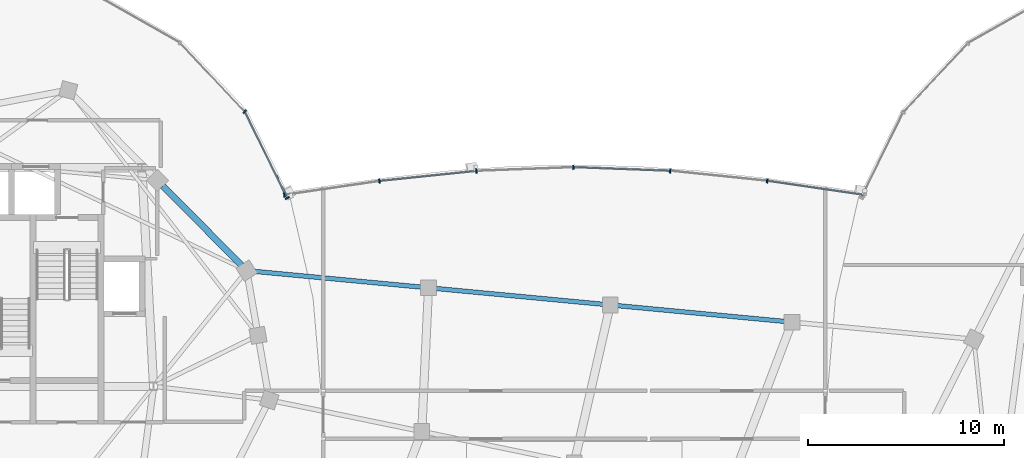
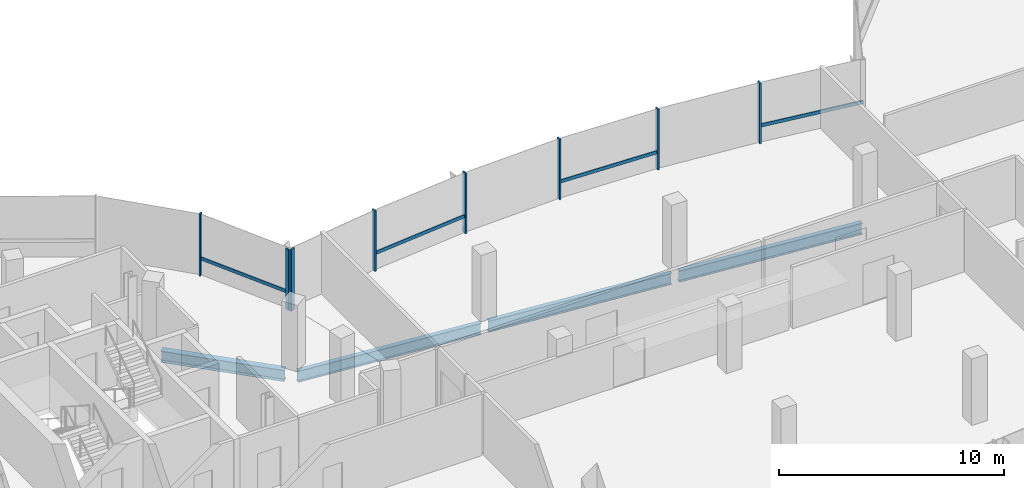
# One storey, part 7 of 25: 12 members, 4 beams, 2 elements without a shape of their own.
"""IFC4 building model written with IfcOpenShell, lengths in metres."""

from ifc_helpers import new_model, si_unit, direction, frame, origin, origin_2d, place, context, subcontext, project, spatial, rectangle, i_section, extrude, material, material_profile, profile_set, type_object, element, aggregate, save


model = new_model("IFC4")

# Units and contexts
model_context = context("Model", 3, precision=1e-05, world=origin(), true_north=direction((0.0, 1.0)))
body_context = subcontext(model_context, "Body", "Model", "MODEL_VIEW")
ifc_project = project(units=[si_unit("LENGTHUNIT", "METRE"), si_unit("AREAUNIT", "SQUARE_METRE"), si_unit("VOLUMEUNIT", "CUBIC_METRE"), si_unit("PLANEANGLEUNIT", "RADIAN"), si_unit("MASSUNIT", "GRAM", prefix="KILO"), si_unit("THERMODYNAMICTEMPERATUREUNIT", "KELVIN"), si_unit("POWERUNIT", "WATT")], contexts=[model_context])

# Site, building, storey
site_placement = place(None, origin())
site = spatial("IfcSite", under=ifc_project, at=site_placement, CompositionType="ELEMENT")
building_placement = place(site_placement, origin())
building = spatial("IfcBuilding", under=site, at=building_placement, Name="Cundina Bronze Exchange", CompositionType="ELEMENT")
storey_placement = place(building_placement, frame((0.0, 0.0, 254.0)))
storey = spatial("IfcBuildingStorey", under=building, at=storey_placement, Name="L67", CompositionType="ELEMENT", Elevation=254.0)

# Beams
ifc_material_1 = material(Name="Steel ASTM A992 Grade 50", Category="steel")
ifc_material_profile_1 = material_profile(ifc_material_1, i_section(OverallWidth=0.22998046875, OverallDepth=0.616943359375, WebThickness=0.01318359375, FlangeThickness=0.022216796875, FilletRadius=0.013916015625, at=origin_2d()), Name="W24X94", Category="steel")
ifc_profile_set_1 = profile_set([ifc_material_profile_1], Name="Steel ASTM A992 Grade 50")
beam_type_1 = type_object("IfcBeamType", Name="BM-FLR-W24B", PredefinedType="BEAM", material=ifc_profile_set_1)
beam_1_placement = place(storey_placement, frame((-16.520751953125, 9.783203125, -0.62841796875), z_axis=(0.995572136276, -0.094000646124, 0.0), x_axis=(0.094000646124, 0.995572136276, 0.0)))
element("IfcBeam", 1, at=beam_1_placement, inside=storey, type_object=beam_type_1, Name="L67 Sky-Gate Longitudinal Girder Y3-P1", PredefinedType="BEAM", context=body_context, shape_type="SweptSolid", body=[
    extrude(i_section(OverallWidth=0.22998046875, OverallDepth=0.616943359375, WebThickness=0.01318359375, FlangeThickness=0.022216796875, FilletRadius=0.013916015625, at=origin_2d()), origin(), (0.0, 0.0, 1.0), 8.949951171875),
])
beam_2_placement = place(storey_placement, frame((-7.251953125, 8.908203125, -0.62841796875), z_axis=(0.995571895232, -0.094003199007, 0.0), x_axis=(0.094003199007, 0.995571895232, 0.0)))
element("IfcBeam", 2, at=beam_2_placement, inside=storey, type_object=beam_type_1, Name="L67 Sky-Gate Longitudinal Girder Y3-P2", PredefinedType="BEAM", context=body_context, shape_type="SweptSolid", body=[
    extrude(i_section(OverallWidth=0.22998046875, OverallDepth=0.616943359375, WebThickness=0.01318359375, FlangeThickness=0.022216796875, FilletRadius=0.013916015625, at=origin_2d()), origin(), (0.0, 0.0, 1.0), 8.94970703125),
])
beam_3_placement = place(storey_placement, frame((2.0166015625, 8.033203125, -0.62841796875), z_axis=(0.995572136276, -0.094000646124, 0.0), x_axis=(0.094000646124, 0.995572136276, 0.0)))
element("IfcBeam", 3, at=beam_3_placement, inside=storey, type_object=beam_type_1, Name="L67 Sky-Gate Longitudinal Girder Y3-P3", PredefinedType="BEAM", context=body_context, shape_type="SweptSolid", body=[
    extrude(i_section(OverallWidth=0.22998046875, OverallDepth=0.616943359375, WebThickness=0.01318359375, FlangeThickness=0.022216796875, FilletRadius=0.013916015625, at=origin_2d()), origin(), (0.0, 0.0, 1.0), 8.949951171875),
])
ifc_material_profile_2 = material_profile(ifc_material_1, i_section(OverallWidth=0.324951171875, OverallDepth=0.615966796875, WebThickness=0.013916015625, FlangeThickness=0.021484375, FilletRadius=0.01611328125, at=origin_2d()), Name="W24X117", Category="steel")
ifc_profile_set_2 = profile_set([ifc_material_profile_2], Name="Steel ASTM A992 Grade 50")
beam_type_2 = type_object("IfcBeamType", Name="BM-RING-W24", PredefinedType="USERDEFINED", material=ifc_profile_set_2)
beam_4_placement = place(storey_placement, frame((-16.972900390625, 10.075927734375, -0.568115234375), z_axis=(-0.703237257446, 0.710955244541, 0.0), x_axis=(-0.710955244541, -0.703237257446, 0.0)))
element("IfcBeam", 4, at=beam_4_placement, inside=storey, type_object=beam_type_2, Name="L67 W Perimeter Ring Girder 02", ObjectType="GIRDER", PredefinedType="USERDEFINED", context=body_context, shape_type="SweptSolid", body=[
    extrude(i_section(OverallWidth=0.324951171875, OverallDepth=0.615966796875, WebThickness=0.013916015625, FlangeThickness=0.021484375, FilletRadius=0.01611328125, at=origin_2d()), origin(), (0.0, 0.0, 1.0), 5.69384765625),
])

# Curtain wall, members
ifc_material_2 = material(Name="Anodised Bronze Aluminium 6063-T6", Category="aluminium")
curtain_wall_type = type_object("IfcCurtainWallType", Name="CWS-SKG-BRG", PredefinedType="NOTDEFINED", material=ifc_material_2)
curtain_wall_1_placement = place(storey_placement, origin())
curtain_wall_1 = element("IfcCurtainWall", 5, at=curtain_wall_1_placement, inside=storey, type_object=curtain_wall_type, Name="L67 CW-06 Curtain Wall Run CWR-L67-W1", PredefinedType="NOTDEFINED")
ifc_material_profile_3 = material_profile(ifc_material_2, rectangle(XDim=0.074951171875, YDim=0.219970703125, at=origin_2d()), Name="AL75X220", Category="aluminium")
ifc_profile_set_3 = profile_set([ifc_material_profile_3], Name="Anodised Bronze Aluminium 6063-T6")
member_type_1 = type_object("IfcMemberType", Name="CWM-MUL-220", PredefinedType="MULLION", material=ifc_profile_set_3)
member_1_placement = place(storey_placement, frame((-14.630859375, 13.50390625, 0.0), z_axis=(0.0, 0.0, 1.0), x_axis=(-0.440566004113, 0.897720221461, 0.0)))
member_1 = element("IfcMember", 6, at=member_1_placement, type_object=member_type_1, Name="CW-06 Mullion 1", PredefinedType="MULLION", context=body_context, shape_type="SweptSolid", body=[
    extrude(rectangle(XDim=0.074951171875, YDim=0.219970703125, at=origin_2d()), origin(), (0.0, 0.0, 1.0), 3.340087890625),
])
member_2_placement = place(storey_placement, frame((-16.8037109375, 17.910400390625, 0.0), z_axis=(0.0, 0.0, 1.0), x_axis=(-0.684292606175, 0.729207535023, 0.0)))
member_2 = element("IfcMember", 7, at=member_2_placement, type_object=member_type_1, Name="CW-06 Mullion 2", PredefinedType="MULLION", context=body_context, shape_type="SweptSolid", body=[
    extrude(rectangle(XDim=0.074951171875, YDim=0.219970703125, at=origin_2d()), origin(), (0.0, 0.0, 1.0), 3.340087890625),
])

curtain_wall_2_placement = place(storey_placement, origin())
curtain_wall_2 = element("IfcCurtainWall", 8, at=curtain_wall_2_placement, inside=storey, type_object=curtain_wall_type, Name="L67 CW-06 Curtain Wall Run CWR-L67-BRGN", PredefinedType="NOTDEFINED")
member_3_placement = place(storey_placement, frame((9.83447265625, 14.378173828125, 0.0), z_axis=(0.0, 0.0, 1.0), x_axis=(-0.994666875153, 0.103139747302, 0.0)))
member_3 = element("IfcMember", 9, at=member_3_placement, type_object=member_type_1, Name="CW-06 Mullion 2", PredefinedType="MULLION", context=body_context, shape_type="SweptSolid", body=[
    extrude(rectangle(XDim=0.074951171875, YDim=0.219970703125, at=origin_2d()), origin(), (0.0, 0.0, 1.0), 3.280029296875),
])
member_4_placement = place(storey_placement, frame((4.892578125, 14.88720703125, 0.0), z_axis=(0.0, 0.0, 1.0), x_axis=(-0.999302568116, 0.037341362551, 0.0)))
member_4 = element("IfcMember", 10, at=member_4_placement, type_object=member_type_1, Name="CW-06 Mullion 3", PredefinedType="MULLION", context=body_context, shape_type="SweptSolid", body=[
    extrude(rectangle(XDim=0.074951171875, YDim=0.219970703125, at=origin_2d()), origin(), (0.0, 0.0, 1.0), 3.280029296875),
])
member_5_placement = place(storey_placement, frame((-0.047607421875, 15.068115234375, 0.0), z_axis=(0.0, 0.0, 1.0), x_axis=(-0.999302568116, -0.037341362551, 0.0)))
member_5 = element("IfcMember", 11, at=member_5_placement, type_object=member_type_1, Name="CW-06 Mullion 4", PredefinedType="MULLION", context=body_context, shape_type="SweptSolid", body=[
    extrude(rectangle(XDim=0.074951171875, YDim=0.219970703125, at=origin_2d()), origin(), (0.0, 0.0, 1.0), 3.280029296875),
])
member_6_placement = place(storey_placement, frame((-4.98876953125, 14.88037109375, 0.0), z_axis=(0.0, 0.0, 1.0), x_axis=(-0.994666875153, -0.103139747302, 0.0)))
member_6 = element("IfcMember", 12, at=member_6_placement, type_object=member_type_1, Name="CW-06 Mullion 5", PredefinedType="MULLION", context=body_context, shape_type="SweptSolid", body=[
    extrude(rectangle(XDim=0.074951171875, YDim=0.219970703125, at=origin_2d()), origin(), (0.0, 0.0, 1.0), 3.280029296875),
])
member_7_placement = place(storey_placement, frame((-9.93310546875, 14.36572265625, 0.0), z_axis=(0.0, 0.0, 1.0), x_axis=(-0.989525789069, -0.144356201001, 0.0)))
member_7 = element("IfcMember", 13, at=member_7_placement, type_object=member_type_1, Name="CW-06 Mullion 6", PredefinedType="MULLION", context=body_context, shape_type="SweptSolid", body=[
    extrude(rectangle(XDim=0.074951171875, YDim=0.219970703125, at=origin_2d()), origin(), (0.0, 0.0, 1.0), 3.280029296875),
])
member_8_placement = place(storey_placement, frame((-14.779296875, 13.658935546875, 0.0), z_axis=(0.0, 0.0, 1.0), x_axis=(-0.989525789069, -0.144356201001, 0.0)))
member_8 = element("IfcMember", 14, at=member_8_placement, type_object=member_type_1, Name="CW-06 End Mullion", PredefinedType="MULLION", context=body_context, shape_type="SweptSolid", body=[
    extrude(rectangle(XDim=0.074951171875, YDim=0.219970703125, at=origin_2d()), origin(), (0.0, 0.0, 1.0), 3.280029296875),
])

# Member
ifc_material_profile_4 = material_profile(ifc_material_2, rectangle(XDim=0.070068359375, YDim=0.179931640625, at=origin_2d()), Name="AL70X180", Category="aluminium")
ifc_profile_set_4 = profile_set([ifc_material_profile_4], Name="Anodised Bronze Aluminium 6063-T6")
member_type_2 = type_object("IfcMemberType", Name="CWM-TRN-180", PredefinedType="USERDEFINED", material=ifc_profile_set_4)
member_9_placement = place(storey_placement, frame((-14.64892578125, 13.541015625, 0.919921875), z_axis=(-0.440554408939, 0.897725911826, 0.0), x_axis=(-0.897725911826, -0.440554408939, 0.0)))
member_9 = element("IfcMember", 15, at=member_9_placement, type_object=member_type_2, Name="CW-06 Spandrel Transom 1", ObjectType="TRANSOM", PredefinedType="USERDEFINED", context=body_context, shape_type="SweptSolid", body=[
    extrude(rectangle(XDim=0.070068359375, YDim=0.179931640625, at=origin_2d()), origin(), (0.0, 0.0, 1.0), 4.848388671875),
])

aggregate(curtain_wall_1, [member_1, member_9, member_2])

member_10_placement = place(storey_placement, frame((14.738525390625, 13.664794921875, 0.91845703125), z_axis=(-0.989531497997, 0.144317062302, 0.0), x_axis=(-0.144317062302, -0.989531497997, 0.0)))
member_10 = element("IfcMember", 16, at=member_10_placement, type_object=member_type_2, Name="CW-06 Spandrel Transom 1", ObjectType="TRANSOM", PredefinedType="USERDEFINED", context=body_context, shape_type="SweptSolid", body=[
    extrude(rectangle(XDim=0.070068359375, YDim=0.179931640625, at=origin_2d()), origin(), (0.0, 0.0, 1.0), 4.8974609375),
])

member_11_placement = place(storey_placement, frame((4.8515625, 14.888671875, 0.91845703125), z_axis=(-0.999303683555, 0.037311500026, 0.0), x_axis=(-0.037311500026, -0.999303683555, 0.0)))
member_11 = element("IfcMember", 17, at=member_11_placement, type_object=member_type_2, Name="CW-06 Spandrel Transom 3", ObjectType="TRANSOM", PredefinedType="USERDEFINED", context=body_context, shape_type="SweptSolid", body=[
    extrude(rectangle(XDim=0.070068359375, YDim=0.179931640625, at=origin_2d()), origin(), (0.0, 0.0, 1.0), 4.8486328125),
])

member_12_placement = place(storey_placement, frame((-5.02978515625, 14.8759765625, 0.91845703125), z_axis=(-0.994672497027, -0.103085516243, 0.0), x_axis=(0.103085516243, -0.994672497027, 0.0)))
member_12 = element("IfcMember", 18, at=member_12_placement, type_object=member_type_2, Name="CW-06 Spandrel Transom 5", ObjectType="TRANSOM", PredefinedType="USERDEFINED", context=body_context, shape_type="SweptSolid", body=[
    extrude(rectangle(XDim=0.070068359375, YDim=0.179931640625, at=origin_2d()), origin(), (0.0, 0.0, 1.0), 4.87158203125),
])

aggregate(curtain_wall_2, [member_10, member_3, member_4, member_11, member_5, member_6, member_12, member_7, member_8])

save(model, "model.ifc")
